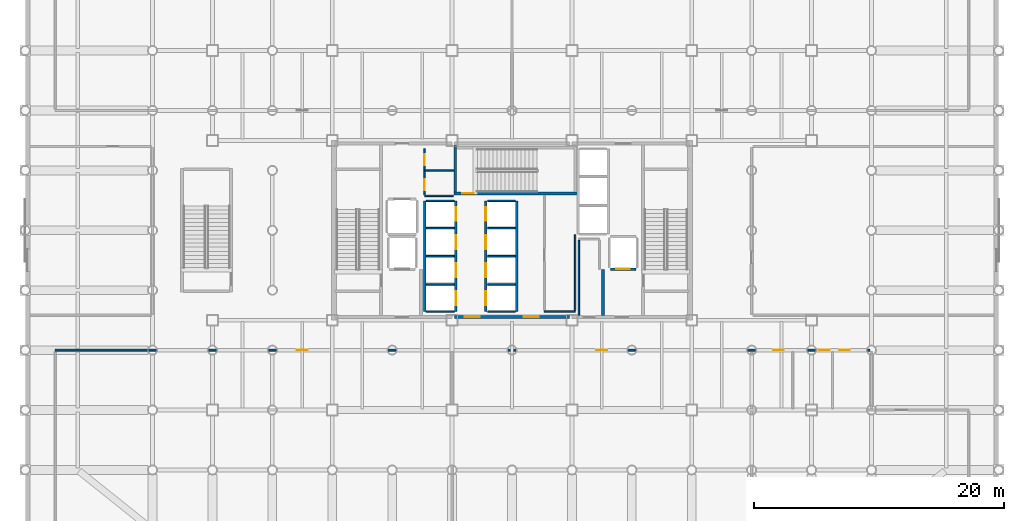
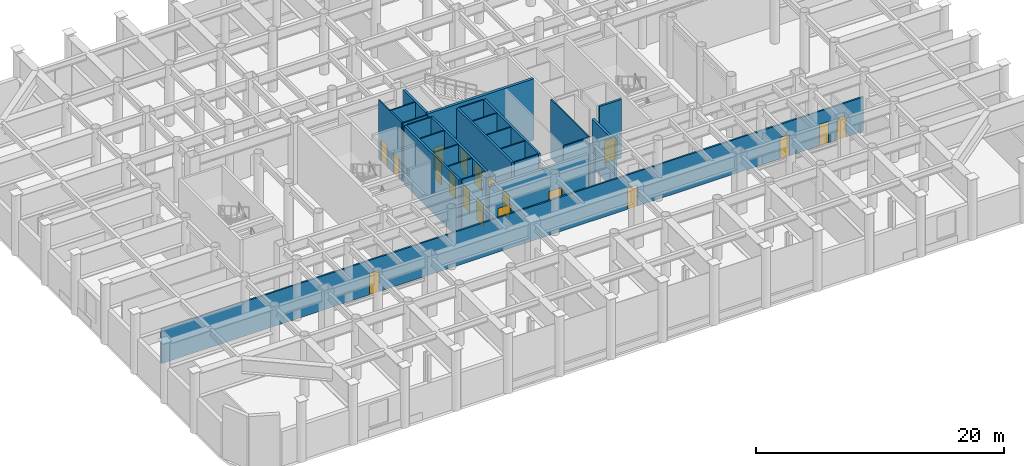
# One storey, part 17 of 26: 26 walls, 19 doors, 19 openings.
"""IFC4 building model written with IfcOpenShell, lengths in metres."""

from ifc_helpers import new_model, si_unit, direction, frame, frame_2d, origin, place, context, subcontext, project, spatial, rectangle, extrude, material, layer, layer_set, type_object, element, fill, save


model = new_model("IFC4")

# Units and contexts
model_context = context("Model", 3, precision=1e-05, world=origin(), true_north=direction((0.0, 1.0)))
body_context = subcontext(model_context, "Body", "Model", "MODEL_VIEW")
ifc_project = project(units=[si_unit("LENGTHUNIT", "METRE"), si_unit("AREAUNIT", "SQUARE_METRE"), si_unit("VOLUMEUNIT", "CUBIC_METRE"), si_unit("PLANEANGLEUNIT", "RADIAN"), si_unit("MASSUNIT", "GRAM", prefix="KILO")], contexts=[model_context])

# Site, building, storey
site_placement = place(None, origin())
site = spatial("IfcSite", under=ifc_project, at=site_placement, CompositionType="ELEMENT")
building_placement = place(site_placement, origin())
building = spatial("IfcBuilding", under=site, at=building_placement, Name="Kallvorn Hotel Tower", CompositionType="ELEMENT")
storey_placement = place(building_placement, frame((0.0, 0.0, 6.0)))
storey = spatial("IfcBuildingStorey", under=building, at=storey_placement, Name="L01", CompositionType="ELEMENT", Elevation=6.0)

# Walls
ifc_material_1 = material(Name="Concrete C40/50", Category="concrete")
ifc_layer_1 = layer(ifc_material_1, 0.219970703125)
ifc_layer_set_1 = layer_set([ifc_layer_1], Name="WL_FFL_220")
wall_type_1 = type_object("IfcWallType", Name="WL_FFL_220", PredefinedType="SOLIDWALL", material=ifc_layer_set_1)
wall_1_placement = place(storey_placement, frame((7.300048828125, -6.820068359375, 0.0), z_axis=(0.0, 0.0, 1.0), x_axis=(0.0, 1.0, 0.0)))
element("IfcWall", 1, at=wall_1_placement, inside=storey, type_object=wall_type_1, Name="L01 Firefighting Lobby East Divider Wall", PredefinedType="SOLIDWALL", context=body_context, shape_type="SweptSolid", body=[
    extrude(rectangle(XDim=3.670166015625, YDim=0.219970703125, at=frame_2d((1.8349609375, 0.0))), origin(), (0.0, 0.0, 1.0), 4.780029296875),
])
ifc_material_2 = material(Name="Concrete C40/50", Category="concrete")
ifc_layer_2 = layer(ifc_material_2, 0.199951171875)
ifc_layer_set_2 = layer_set([ifc_layer_2], Name="WL_HOIST_200")
wall_type_2 = type_object("IfcWallType", Name="WL_HOIST_200", PredefinedType="SOLIDWALL", material=ifc_layer_set_2)
wall_2_placement = place(storey_placement, frame((-4.550048828125, 3.080078125, -0.25), z_axis=(0.0, 0.0, 1.0), x_axis=(0.0, 1.0, 0.0)))
element("IfcWall", 2, at=wall_2_placement, inside=storey, type_object=wall_type_2, Name="L01 Stair ST3 West Wall", PredefinedType="SOLIDWALL", context=body_context, shape_type="SweptSolid", body=[
    extrude(rectangle(XDim=3.739990234375, YDim=0.199951171875, at=frame_2d((1.8701171875, 0.0))), origin(), (0.0, 0.0, 1.0), 6.030029296875),
])

# Wall, openings, doors
wall_3_placement = place(storey_placement, frame((-4.5, -6.5, 0.0), z_axis=(0.0, 0.0, 1.0), x_axis=(0.0, 1.0, 0.0)))
wall_3 = element("IfcWall", 3, at=wall_3_placement, inside=storey, type_object=wall_type_2, Name="L01 Lift Bank B1 Landing Wall", PredefinedType="SOLIDWALL", context=body_context, shape_type="SweptSolid", body=[
    extrude(rectangle(XDim=8.85009765625, YDim=0.199951171875, at=frame_2d((4.425048828125, 0.0))), origin(), (0.0, 0.0, 1.0), 5.780029296875),
])
opening_1_placement = place(wall_3_placement, frame((0.5, 0.0, 0.0)))
opening_1 = element("IfcOpeningElement", 4, at=opening_1_placement, cuts=wall_3, Name="Opening LD-PL-01", PredefinedType="OPENING", context=body_context, shape_type="SweptSolid", body=[
    extrude(rectangle(XDim=1.10009765625, YDim=2.199951171875, at=frame_2d((0.550048828125, 1.10009765625))), frame((0.0, 0.114990234375, 0.0), z_axis=(0.0, -1.0, 0.0), x_axis=(1.0, 0.0, 0.0)), (0.0, 0.0, 1.0), 0.22998046875),
])
opening_2_placement = place(wall_3_placement, frame((2.75, 0.0, 0.0)))
opening_2 = element("IfcOpeningElement", 5, at=opening_2_placement, cuts=wall_3, Name="Opening LD-PL-02", PredefinedType="OPENING", context=body_context, shape_type="SweptSolid", body=[
    extrude(rectangle(XDim=1.10009765625, YDim=2.199951171875, at=frame_2d((0.550048828125, 1.10009765625))), frame((0.0, 0.114990234375, 0.0), z_axis=(0.0, -1.0, 0.0), x_axis=(1.0, 0.0, 0.0)), (0.0, 0.0, 1.0), 0.22998046875),
])
opening_3_placement = place(wall_3_placement, frame((5.0, 0.0, 0.0)))
opening_3 = element("IfcOpeningElement", 6, at=opening_3_placement, cuts=wall_3, Name="Opening LD-PL-03", PredefinedType="OPENING", context=body_context, shape_type="SweptSolid", body=[
    extrude(rectangle(XDim=1.10009765625, YDim=2.199951171875, at=frame_2d((0.550048828125, 1.10009765625))), frame((0.0, 0.114990234375, 0.0), z_axis=(0.0, -1.0, 0.0), x_axis=(1.0, 0.0, 0.0)), (0.0, 0.0, 1.0), 0.22998046875),
])
opening_4_placement = place(wall_3_placement, frame((7.25, 0.0, 0.0)))
opening_4 = element("IfcOpeningElement", 7, at=opening_4_placement, cuts=wall_3, Name="Opening LD-PL-04", PredefinedType="OPENING", context=body_context, shape_type="SweptSolid", body=[
    extrude(rectangle(XDim=1.10009765625, YDim=2.199951171875, at=frame_2d((0.550048828125, 1.10009765625))), frame((0.0, 0.114990234375, 0.0), z_axis=(0.0, -1.0, 0.0), x_axis=(1.0, 0.0, 0.0)), (0.0, 0.0, 1.0), 0.22998046875),
])
ifc_material_3 = material(Name="Brushed stainless-steel automatic sliding lift landing door", Category="steel")
door_type_1 = type_object("IfcDoorType", Name="LD_PASS_1100x2200", OperationType="SLIDING_TO_LEFT", PredefinedType="DOOR", material=ifc_material_3)
door_1_placement = place(opening_1_placement, origin())
door_1 = element("IfcDoor", 8, at=door_1_placement, inside=storey, type_object=door_type_1, Name="L01 Lift Landing Sliding Door LD-PL-01", OperationType="SLIDING_TO_LEFT", OverallHeight=2.199951171875, OverallWidth=1.10009765625, PredefinedType="DOOR", context=body_context, shape_type="SweptSolid", body=[
    extrude(rectangle(XDim=1.10009765625, YDim=2.199951171875, at=frame_2d((0.550048828125, 1.10009765625))), frame((0.0, 0.02490234375, 0.0), z_axis=(0.0, -1.0, 0.0), x_axis=(1.0, 0.0, 0.0)), (0.0, 0.0, 1.0), 0.050048828125),
])
fill(opening_1, door_1)
door_2_placement = place(opening_2_placement, origin())
door_2 = element("IfcDoor", 9, at=door_2_placement, inside=storey, type_object=door_type_1, Name="L01 Lift Landing Sliding Door LD-PL-02", OperationType="SLIDING_TO_LEFT", OverallHeight=2.199951171875, OverallWidth=1.10009765625, PredefinedType="DOOR", context=body_context, shape_type="SweptSolid", body=[
    extrude(rectangle(XDim=1.10009765625, YDim=2.199951171875, at=frame_2d((0.550048828125, 1.10009765625))), frame((0.0, 0.02490234375, 0.0), z_axis=(0.0, -1.0, 0.0), x_axis=(1.0, 0.0, 0.0)), (0.0, 0.0, 1.0), 0.050048828125),
])
fill(opening_2, door_2)
door_3_placement = place(opening_3_placement, origin())
door_3 = element("IfcDoor", 10, at=door_3_placement, inside=storey, type_object=door_type_1, Name="L01 Lift Landing Sliding Door LD-PL-03", OperationType="SLIDING_TO_LEFT", OverallHeight=2.199951171875, OverallWidth=1.10009765625, PredefinedType="DOOR", context=body_context, shape_type="SweptSolid", body=[
    extrude(rectangle(XDim=1.10009765625, YDim=2.199951171875, at=frame_2d((0.550048828125, 1.10009765625))), frame((0.0, 0.02490234375, 0.0), z_axis=(0.0, -1.0, 0.0), x_axis=(1.0, 0.0, 0.0)), (0.0, 0.0, 1.0), 0.050048828125),
])
fill(opening_3, door_3)
door_4_placement = place(opening_4_placement, origin())
door_4 = element("IfcDoor", 11, at=door_4_placement, inside=storey, type_object=door_type_1, Name="L01 Lift Landing Sliding Door LD-PL-04", OperationType="SLIDING_TO_LEFT", OverallHeight=2.199951171875, OverallWidth=1.10009765625, PredefinedType="DOOR", context=body_context, shape_type="SweptSolid", body=[
    extrude(rectangle(XDim=1.10009765625, YDim=2.199951171875, at=frame_2d((0.550048828125, 1.10009765625))), frame((0.0, 0.02490234375, 0.0), z_axis=(0.0, -1.0, 0.0), x_axis=(1.0, 0.0, 0.0)), (0.0, 0.0, 1.0), 0.050048828125),
])
fill(opening_4, door_4)

# Wall
wall_4_placement = place(storey_placement, frame((-7.0, -6.5, 0.0), z_axis=(0.0, 0.0, 1.0), x_axis=(0.0, 1.0, 0.0)))
element("IfcWall", 12, at=wall_4_placement, inside=storey, type_object=wall_type_2, Name="L01 Lift Bank B1 Rear Shaft Wall", PredefinedType="SOLIDWALL", context=body_context, shape_type="SweptSolid", body=[
    extrude(rectangle(XDim=8.85009765625, YDim=0.199951171875, at=frame_2d((4.425048828125, 0.0))), origin(), (0.0, 0.0, 1.0), 5.780029296875),
])

# Wall, openings, doors
wall_5_placement = place(storey_placement, frame((-2.10009765625, -6.5, 0.0), z_axis=(0.0, 0.0, 1.0), x_axis=(0.0, 1.0, 0.0)))
wall_5 = element("IfcWall", 13, at=wall_5_placement, inside=storey, type_object=wall_type_2, Name="L01 Lift Bank B2 Landing Wall", PredefinedType="SOLIDWALL", context=body_context, shape_type="SweptSolid", body=[
    extrude(rectangle(XDim=8.85009765625, YDim=0.199951171875, at=frame_2d((4.425048828125, 0.0))), origin(), (0.0, 0.0, 1.0), 5.780029296875),
])
opening_5_placement = place(wall_5_placement, frame((0.5, 0.0, 0.0)))
opening_5 = element("IfcOpeningElement", 14, at=opening_5_placement, cuts=wall_5, Name="Opening LD-PL-05", PredefinedType="OPENING", context=body_context, shape_type="SweptSolid", body=[
    extrude(rectangle(XDim=1.10009765625, YDim=2.199951171875, at=frame_2d((0.550048828125, 1.10009765625))), frame((0.0, 0.114990234375, 0.0), z_axis=(0.0, -1.0, 0.0), x_axis=(1.0, 0.0, 0.0)), (0.0, 0.0, 1.0), 0.22998046875),
])
opening_6_placement = place(wall_5_placement, frame((2.75, 0.0, 0.0)))
opening_6 = element("IfcOpeningElement", 15, at=opening_6_placement, cuts=wall_5, Name="Opening LD-PL-06", PredefinedType="OPENING", context=body_context, shape_type="SweptSolid", body=[
    extrude(rectangle(XDim=1.10009765625, YDim=2.199951171875, at=frame_2d((0.550048828125, 1.10009765625))), frame((0.0, 0.114990234375, 0.0), z_axis=(0.0, -1.0, 0.0), x_axis=(1.0, 0.0, 0.0)), (0.0, 0.0, 1.0), 0.22998046875),
])
opening_7_placement = place(wall_5_placement, frame((5.0, 0.0, 0.0)))
opening_7 = element("IfcOpeningElement", 16, at=opening_7_placement, cuts=wall_5, Name="Opening LD-PL-07", PredefinedType="OPENING", context=body_context, shape_type="SweptSolid", body=[
    extrude(rectangle(XDim=1.10009765625, YDim=2.199951171875, at=frame_2d((0.550048828125, 1.10009765625))), frame((0.0, 0.114990234375, 0.0), z_axis=(0.0, -1.0, 0.0), x_axis=(1.0, 0.0, 0.0)), (0.0, 0.0, 1.0), 0.22998046875),
])
opening_8_placement = place(wall_5_placement, frame((7.25, 0.0, 0.0)))
opening_8 = element("IfcOpeningElement", 17, at=opening_8_placement, cuts=wall_5, Name="Opening LD-PL-08", PredefinedType="OPENING", context=body_context, shape_type="SweptSolid", body=[
    extrude(rectangle(XDim=1.10009765625, YDim=2.199951171875, at=frame_2d((0.550048828125, 1.10009765625))), frame((0.0, 0.114990234375, 0.0), z_axis=(0.0, -1.0, 0.0), x_axis=(1.0, 0.0, 0.0)), (0.0, 0.0, 1.0), 0.22998046875),
])
door_5_placement = place(opening_5_placement, origin())
door_5 = element("IfcDoor", 18, at=door_5_placement, inside=storey, type_object=door_type_1, Name="L01 Lift Landing Sliding Door LD-PL-05", OperationType="SLIDING_TO_LEFT", OverallHeight=2.199951171875, OverallWidth=1.10009765625, PredefinedType="DOOR", context=body_context, shape_type="SweptSolid", body=[
    extrude(rectangle(XDim=1.10009765625, YDim=2.199951171875, at=frame_2d((0.550048828125, 1.10009765625))), frame((0.0, 0.02490234375, 0.0), z_axis=(0.0, -1.0, 0.0), x_axis=(1.0, 0.0, 0.0)), (0.0, 0.0, 1.0), 0.050048828125),
])
fill(opening_5, door_5)
door_6_placement = place(opening_6_placement, origin())
door_6 = element("IfcDoor", 19, at=door_6_placement, inside=storey, type_object=door_type_1, Name="L01 Lift Landing Sliding Door LD-PL-06", OperationType="SLIDING_TO_LEFT", OverallHeight=2.199951171875, OverallWidth=1.10009765625, PredefinedType="DOOR", context=body_context, shape_type="SweptSolid", body=[
    extrude(rectangle(XDim=1.10009765625, YDim=2.199951171875, at=frame_2d((0.550048828125, 1.10009765625))), frame((0.0, 0.02490234375, 0.0), z_axis=(0.0, -1.0, 0.0), x_axis=(1.0, 0.0, 0.0)), (0.0, 0.0, 1.0), 0.050048828125),
])
fill(opening_6, door_6)
door_7_placement = place(opening_7_placement, origin())
door_7 = element("IfcDoor", 20, at=door_7_placement, inside=storey, type_object=door_type_1, Name="L01 Lift Landing Sliding Door LD-PL-07", OperationType="SLIDING_TO_LEFT", OverallHeight=2.199951171875, OverallWidth=1.10009765625, PredefinedType="DOOR", context=body_context, shape_type="SweptSolid", body=[
    extrude(rectangle(XDim=1.10009765625, YDim=2.199951171875, at=frame_2d((0.550048828125, 1.10009765625))), frame((0.0, 0.02490234375, 0.0), z_axis=(0.0, -1.0, 0.0), x_axis=(1.0, 0.0, 0.0)), (0.0, 0.0, 1.0), 0.050048828125),
])
fill(opening_7, door_7)
door_8_placement = place(opening_8_placement, origin())
door_8 = element("IfcDoor", 21, at=door_8_placement, inside=storey, type_object=door_type_1, Name="L01 Lift Landing Sliding Door LD-PL-08", OperationType="SLIDING_TO_LEFT", OverallHeight=2.199951171875, OverallWidth=1.10009765625, PredefinedType="DOOR", context=body_context, shape_type="SweptSolid", body=[
    extrude(rectangle(XDim=1.10009765625, YDim=2.199951171875, at=frame_2d((0.550048828125, 1.10009765625))), frame((0.0, 0.02490234375, 0.0), z_axis=(0.0, -1.0, 0.0), x_axis=(1.0, 0.0, 0.0)), (0.0, 0.0, 1.0), 0.050048828125),
])
fill(opening_8, door_8)

# Wall
wall_6_placement = place(storey_placement, frame((0.39990234375, -6.5, 0.0), z_axis=(0.0, 0.0, 1.0), x_axis=(0.0, 1.0, 0.0)))
element("IfcWall", 22, at=wall_6_placement, inside=storey, type_object=wall_type_2, Name="L01 Lift Bank B2 Rear Shaft Wall", PredefinedType="SOLIDWALL", context=body_context, shape_type="SweptSolid", body=[
    extrude(rectangle(XDim=8.85009765625, YDim=0.199951171875, at=frame_2d((4.425048828125, 0.0))), origin(), (0.0, 0.0, 1.0), 5.780029296875),
])

# Wall, opening, door
wall_7_placement = place(storey_placement, frame((7.8798828125, -3.10009765625, 0.0), z_axis=(0.0, 0.0, 1.0), x_axis=(1.0, 0.0, 0.0)))
wall_7 = element("IfcWall", 23, at=wall_7_placement, inside=storey, type_object=wall_type_2, Name="L01 FL-2 Landing Wall", PredefinedType="SOLIDWALL", context=body_context, shape_type="SweptSolid", body=[
    extrude(rectangle(XDim=2.0400390625, YDim=0.199951171875, at=frame_2d((1.02001953125, 0.0))), origin(), (0.0, 0.0, 1.0), 5.780029296875),
])
opening_9_placement = place(wall_7_placement, frame((0.469970703125, 0.0, 0.0)))
opening_9 = element("IfcOpeningElement", 24, at=opening_9_placement, cuts=wall_7, Name="Opening LD-FL-2", PredefinedType="OPENING", context=body_context, shape_type="SweptSolid", body=[
    extrude(rectangle(XDim=1.10009765625, YDim=2.199951171875, at=frame_2d((0.550048828125, 1.10009765625))), frame((0.0, 0.114990234375, 0.0), z_axis=(0.0, -1.0, 0.0), x_axis=(1.0, 0.0, 0.0)), (0.0, 0.0, 1.0), 0.22998046875),
])
door_9_placement = place(opening_9_placement, origin())
door_9 = element("IfcDoor", 25, at=door_9_placement, inside=storey, type_object=door_type_1, Name="L01 Lift Landing Sliding Door LD-FL-2", OperationType="SLIDING_TO_LEFT", OverallHeight=2.199951171875, OverallWidth=1.10009765625, PredefinedType="DOOR", context=body_context, shape_type="SweptSolid", body=[
    extrude(rectangle(XDim=1.10009765625, YDim=2.199951171875, at=frame_2d((0.550048828125, 1.10009765625))), frame((0.0, 0.02490234375, 0.0), z_axis=(0.0, -1.0, 0.0), x_axis=(1.0, 0.0, 0.0)), (0.0, 0.0, 1.0), 0.050048828125),
])
fill(opening_9, door_9)

# Walls
ifc_material_4 = material(Name="Fire-rated double-layer acoustic gypsum drywall EI 60")
ifc_layer_3 = layer(ifc_material_4, 0.1201171875)
ifc_layer_set_3 = layer_set([ifc_layer_3], Name="WL_INT_120")
wall_type_3 = type_object("IfcWallType", Name="WL_INT_120", PredefinedType="PARTITIONING", material=ifc_layer_set_3)
for number, where, z_axis, x_axis, name in (
    (26, (-6.860107421875, -6.5, 0.0), (0.0, 0.0, 1.0), (1.0, 0.0, 0.0), "L01 Lift Bank B1 South Closure Wall"),
    (27, (-6.860107421875, -4.324951171875, 0.0), (0.0, 0.0, 1.0), (1.0, 0.0, 0.0), "L01 PL-01 Hoistway Divider"),
    (28, (-6.860107421875, -2.074951171875, 0.0), (0.0, 0.0, 1.0), (1.0, 0.0, 0.0), "L01 PL-02 Hoistway Divider"),
    (29, (-6.860107421875, 0.175048828125, 0.0), (0.0, 0.0, 1.0), (1.0, 0.0, 0.0), "L01 PL-03 Hoistway Divider"),
    (30, (-6.860107421875, 2.35009765625, 0.0), (0.0, 0.0, 1.0), (1.0, 0.0, 0.0), "L01 PL-04 Hoistway Divider"),
):
    element("IfcWall", number, at=place(storey_placement, frame(where, z_axis=z_axis, x_axis=x_axis)), inside=storey, type_object=wall_type_3, Name=name, PredefinedType="PARTITIONING", context=body_context, shape_type="SweptSolid", body=[
        extrude(rectangle(XDim=2.22021484375, YDim=0.1201171875, at=frame_2d((1.110107421875, 0.0))), origin(), (0.0, 0.0, 1.0), 5.780029296875),
    ])
for number, where, z_axis, x_axis, name in (
    (31, (-1.9599609375, -6.5, 0.0), (0.0, 0.0, 1.0), (1.0, 0.0, 0.0), "L01 Lift Bank B2 South Closure Wall"),
    (32, (-1.9599609375, -4.324951171875, 0.0), (0.0, 0.0, 1.0), (1.0, 0.0, 0.0), "L01 PL-05 Hoistway Divider"),
    (33, (-1.9599609375, -2.074951171875, 0.0), (0.0, 0.0, 1.0), (1.0, 0.0, 0.0), "L01 PL-06 Hoistway Divider"),
    (34, (-1.9599609375, 0.175048828125, 0.0), (0.0, 0.0, 1.0), (1.0, 0.0, 0.0), "L01 PL-07 Hoistway Divider"),
    (35, (-1.9599609375, 2.35009765625, 0.0), (0.0, 0.0, 1.0), (1.0, 0.0, 0.0), "L01 PL-08 Hoistway Divider"),
):
    element("IfcWall", number, at=place(storey_placement, frame(where, z_axis=z_axis, x_axis=x_axis)), inside=storey, type_object=wall_type_3, Name=name, PredefinedType="PARTITIONING", context=body_context, shape_type="SweptSolid", body=[
        extrude(rectangle(XDim=2.219970703125, YDim=0.1201171875, at=frame_2d((1.10986328125, 0.0))), origin(), (0.0, 0.0, 1.0), 5.780029296875),
    ])
wall_8_placement = place(storey_placement, frame((2.60009765625, -6.5, 0.0), z_axis=(0.0, 0.0, 1.0), x_axis=(1.0, 0.0, 0.0)))
element("IfcWall", 36, at=wall_8_placement, inside=storey, type_object=wall_type_3, Name="L01 East Core Consolidated Linen and Supply Store Partition", PredefinedType="PARTITIONING", context=body_context, shape_type="SweptSolid", body=[
    extrude(rectangle(XDim=2.449951171875, YDim=0.1201171875, at=frame_2d((1.22509765625, 0.0))), origin(), (0.0, 0.0, 1.0), 5.780029296875),
])
wall_9_placement = place(storey_placement, frame((-7.0, 2.75, 0.0), z_axis=(0.0, 0.0, 1.0), x_axis=(1.0, 0.0, 0.0)))
element("IfcWall", 37, at=wall_9_placement, inside=storey, type_object=wall_type_3, Name="L01 Core Ice and Vending Pantry Partition", PredefinedType="PARTITIONING", context=body_context, shape_type="SweptSolid", body=[
    extrude(rectangle(XDim=2.31005859375, YDim=0.1201171875, at=frame_2d((1.155029296875, 0.0))), origin(), (0.0, 0.0, 1.0), 5.780029296875),
])
wall_10_placement = place(storey_placement, frame((-7.0, 4.800048828125, 0.0), z_axis=(0.0, 0.0, 1.0), x_axis=(1.0, 0.0, 0.0)))
element("IfcWall", 38, at=wall_10_placement, inside=storey, type_object=wall_type_3, Name="L01 Core Ice and Vending Pantry Partition", PredefinedType="PARTITIONING", context=body_context, shape_type="SweptSolid", body=[
    extrude(rectangle(XDim=2.35009765625, YDim=0.1201171875, at=frame_2d((1.175048828125, 0.0))), origin(), (0.0, 0.0, 1.0), 5.780029296875),
])

# Wall, openings, doors
wall_11_placement = place(storey_placement, frame((-7.0, 2.8349609375, 0.0), z_axis=(0.0, 0.0, 1.0), x_axis=(0.0, 1.0, 0.0)))
wall_11 = element("IfcWall", 39, at=wall_11_placement, inside=storey, type_object=wall_type_3, Name="L01 Core Ice and Vending Pantry Partition", PredefinedType="PARTITIONING", context=body_context, shape_type="SweptSolid", body=[
    extrude(rectangle(XDim=3.715087890625, YDim=0.1201171875, at=frame_2d((1.857421875, 0.0))), origin(), (0.0, 0.0, 1.0), 5.780029296875),
])
opening_10_placement = place(wall_11_placement, frame((0.364990234375, 0.0, 0.0)))
opening_10 = element("IfcOpeningElement", 40, at=opening_10_placement, cuts=wall_11, Name="Opening SVD1", PredefinedType="OPENING", context=body_context, shape_type="SweptSolid", body=[
    extrude(rectangle(XDim=0.89990234375, YDim=2.10009765625, at=frame_2d((0.449951171875, 1.050048828125))), frame((0.0, 0.074951171875, 0.0), z_axis=(0.0, -1.0, 0.0), x_axis=(1.0, 0.0, 0.0)), (0.0, 0.0, 1.0), 0.150146484375),
])
opening_11_placement = place(wall_11_placement, frame((2.364990234375, 0.0, 0.0)))
opening_11 = element("IfcOpeningElement", 41, at=opening_11_placement, cuts=wall_11, Name="Opening SVD1", PredefinedType="OPENING", context=body_context, shape_type="SweptSolid", body=[
    extrude(rectangle(XDim=0.89990234375, YDim=2.10009765625, at=frame_2d((0.449951171875, 1.050048828125))), frame((0.0, 0.074951171875, 0.0), z_axis=(0.0, -1.0, 0.0), x_axis=(1.0, 0.0, 0.0)), (0.0, 0.0, 1.0), 0.150146484375),
])
ifc_material_5 = material(Name="Galvanised painted steel fire-rated door assembly", Category="steel")
door_type_2 = type_object("IfcDoorType", Name="DR_SERV_900x2100", OperationType="NOTDEFINED", PredefinedType="DOOR", material=ifc_material_5)
door_10_placement = place(opening_10_placement, origin())
door_10 = element("IfcDoor", 42, at=door_10_placement, inside=storey, type_object=door_type_2, Name="L01 Core Ice and Vending Pantry Door", OperationType="SINGLE_SWING_RIGHT", OverallHeight=2.10009765625, OverallWidth=0.89990234375, PredefinedType="DOOR", context=body_context, shape_type="SweptSolid", body=[
    extrude(rectangle(XDim=0.89990234375, YDim=2.10009765625, at=frame_2d((0.449951171875, 1.050048828125))), frame((0.0, 0.02490234375, 0.0), z_axis=(0.0, -1.0, 0.0), x_axis=(1.0, 0.0, 0.0)), (0.0, 0.0, 1.0), 0.050048828125),
])
fill(opening_10, door_10)
door_11_placement = place(opening_11_placement, origin())
door_11 = element("IfcDoor", 43, at=door_11_placement, inside=storey, type_object=door_type_2, Name="L01 Core Linen Supply Closet Door", OperationType="SINGLE_SWING_RIGHT", OverallHeight=2.10009765625, OverallWidth=0.89990234375, PredefinedType="DOOR", context=body_context, shape_type="SweptSolid", body=[
    extrude(rectangle(XDim=0.89990234375, YDim=2.10009765625, at=frame_2d((0.449951171875, 1.050048828125))), frame((0.0, 0.02490234375, 0.0), z_axis=(0.0, -1.0, 0.0), x_axis=(1.0, 0.0, 0.0)), (0.0, 0.0, 1.0), 0.050048828125),
])
fill(opening_11, door_11)

# Walls
wall_12_placement = place(storey_placement, frame((5.050048828125, -6.4150390625, 0.0), z_axis=(0.0, 0.0, 1.0), x_axis=(0.0, 1.0, 0.0)))
element("IfcWall", 44, at=wall_12_placement, inside=storey, type_object=wall_type_3, Name="L01 East Core Consolidated Linen and Supply Store Partition", PredefinedType="PARTITIONING", context=body_context, shape_type="SweptSolid", body=[
    extrude(rectangle(XDim=6.074951171875, YDim=0.1201171875, at=frame_2d((3.03759765625, 0.0))), origin(), (0.0, 0.0, 1.0), 5.780029296875),
])
wall_13_placement = place(storey_placement, frame((5.35009765625, -6.800048828125, 0.0), z_axis=(0.0, 0.0, 1.0), x_axis=(0.0, 1.0, 0.0)))
element("IfcWall", 45, at=wall_13_placement, inside=storey, type_object=wall_type_3, Name="L01 Core Utility and Meter Room Partition", PredefinedType="PARTITIONING", context=body_context, shape_type="SweptSolid", body=[
    extrude(rectangle(XDim=6.01513671875, YDim=0.1201171875, at=frame_2d((3.007568359375, 0.0))), origin(), (0.0, 0.0, 1.0), 4.780029296875),
])

# Wall, openings, doors
ifc_material_6 = material(Name="Fire-rated double-layer acoustic gypsum drywall EI 60")
ifc_layer_4 = layer(ifc_material_6, 0.14990234375)
ifc_layer_set_4 = layer_set([ifc_layer_4], Name="WL_PART_150")
wall_type_4 = type_object("IfcWallType", Name="WL_PART_150", PredefinedType="PARTITIONING", material=ifc_layer_set_4)
wall_14_placement = place(storey_placement, frame((-36.60009765625, -9.60009765625, 0.0), z_axis=(0.0, 0.0, 1.0), x_axis=(1.0, 0.0, 0.0)))
wall_14 = element("IfcWall", 46, at=wall_14_placement, inside=storey, type_object=wall_type_4, Name="L01 Specialty Signature Restaurant Dining Hall Partition", PredefinedType="PARTITIONING", context=body_context, shape_type="SweptSolid", body=[
    extrude(rectangle(XDim=65.280029296875, YDim=0.14990234375, at=frame_2d((32.64013671875, 0.0))), origin(), (0.0, 0.0, 1.0), 3.3798828125),
])
opening_12_placement = place(wall_14_placement, frame((19.35009765625, 0.0, 0.0)))
opening_12 = element("IfcOpeningElement", 47, at=opening_12_placement, cuts=wall_14, Name="Opening SVD1", PredefinedType="OPENING", context=body_context, shape_type="SweptSolid", body=[
    extrude(rectangle(XDim=0.89990234375, YDim=2.10009765625, at=frame_2d((0.449951171875, 1.050048828125))), frame((0.0, 0.08984375, 0.0), z_axis=(0.0, -1.0, 0.0), x_axis=(1.0, 0.0, 0.0)), (0.0, 0.0, 1.0), 0.179931640625),
])
opening_13_placement = place(wall_14_placement, frame((43.35009765625, 0.0, 0.0)))
opening_13 = element("IfcOpeningElement", 48, at=opening_13_placement, cuts=wall_14, Name="Opening SVD1", PredefinedType="OPENING", context=body_context, shape_type="SweptSolid", body=[
    extrude(rectangle(XDim=0.89990234375, YDim=2.10009765625, at=frame_2d((0.449951171875, 1.050048828125))), frame((0.0, 0.08984375, 0.0), z_axis=(0.0, -1.0, 0.0), x_axis=(1.0, 0.0, 0.0)), (0.0, 0.0, 1.0), 0.179931640625),
])
opening_14_placement = place(wall_14_placement, frame((57.521484375, 0.0, 0.0)))
opening_14 = element("IfcOpeningElement", 49, at=opening_14_placement, cuts=wall_14, Name="Opening BD-I", PredefinedType="OPENING", context=body_context, shape_type="SweptSolid", body=[
    extrude(rectangle(XDim=0.860107421875, YDim=2.10009765625, at=frame_2d((0.43017578125, 1.050048828125))), frame((0.0, 0.08984375, 0.0), z_axis=(0.0, -1.0, 0.0), x_axis=(1.0, 0.0, 0.0)), (0.0, 0.0, 1.0), 0.179931640625),
])
opening_15_placement = place(wall_14_placement, frame((61.18505859375, 0.0, 0.0)))
opening_15 = element("IfcOpeningElement", 50, at=opening_15_placement, cuts=wall_14, Name="Opening BD-I", PredefinedType="OPENING", context=body_context, shape_type="SweptSolid", body=[
    extrude(rectangle(XDim=0.860107421875, YDim=2.10009765625, at=frame_2d((0.43017578125, 1.050048828125))), frame((0.0, 0.08984375, 0.0), z_axis=(0.0, -1.0, 0.0), x_axis=(1.0, 0.0, 0.0)), (0.0, 0.0, 1.0), 0.179931640625),
])
opening_16_placement = place(wall_14_placement, frame((62.820556640625, 0.0, 0.0)))
opening_16 = element("IfcOpeningElement", 51, at=opening_16_placement, cuts=wall_14, Name="Opening BD-I", PredefinedType="OPENING", context=body_context, shape_type="SweptSolid", body=[
    extrude(rectangle(XDim=0.860107421875, YDim=2.10009765625, at=frame_2d((0.43017578125, 1.050048828125))), frame((0.0, 0.08984375, 0.0), z_axis=(0.0, -1.0, 0.0), x_axis=(1.0, 0.0, 0.0)), (0.0, 0.0, 1.0), 0.179931640625),
])
ifc_material_7 = material(Name="Solid-core walnut veneer fire-rated timber door leaf", Category="wood")
door_type_3 = type_object("IfcDoorType", Name="DR_BATH_860x2100", OperationType="NOTDEFINED", PredefinedType="DOOR", material=ifc_material_7)
door_12_placement = place(opening_14_placement, origin())
door_12 = element("IfcDoor", 52, at=door_12_placement, inside=storey, type_object=door_type_3, Name="L01 Public Male Restroom WC Door", OperationType="SINGLE_SWING_RIGHT", OverallHeight=2.10009765625, OverallWidth=0.860107421875, PredefinedType="DOOR", context=body_context, shape_type="SweptSolid", body=[
    extrude(rectangle(XDim=0.860107421875, YDim=2.10009765625, at=frame_2d((0.43017578125, 1.050048828125))), frame((0.0, 0.02490234375, 0.0), z_axis=(0.0, -1.0, 0.0), x_axis=(1.0, 0.0, 0.0)), (0.0, 0.0, 1.0), 0.050048828125),
])
fill(opening_14, door_12)
door_13_placement = place(opening_15_placement, origin())
door_13 = element("IfcDoor", 53, at=door_13_placement, inside=storey, type_object=door_type_3, Name="L01 Public Female Restroom WC Door", OperationType="SINGLE_SWING_LEFT", OverallHeight=2.10009765625, OverallWidth=0.860107421875, PredefinedType="DOOR", context=body_context, shape_type="SweptSolid", body=[
    extrude(rectangle(XDim=0.860107421875, YDim=2.10009765625, at=frame_2d((0.43017578125, 1.050048828125))), frame((0.0, 0.02490234375, 0.0), z_axis=(0.0, -1.0, 0.0), x_axis=(1.0, 0.0, 0.0)), (0.0, 0.0, 1.0), 0.050048828125),
])
fill(opening_15, door_13)
door_14_placement = place(opening_16_placement, origin())
door_14 = element("IfcDoor", 54, at=door_14_placement, inside=storey, type_object=door_type_3, Name="L01 Accessible Restroom WC Door", OperationType="SINGLE_SWING_LEFT", OverallHeight=2.10009765625, OverallWidth=0.860107421875, PredefinedType="DOOR", context=body_context, shape_type="SweptSolid", body=[
    extrude(rectangle(XDim=0.860107421875, YDim=2.10009765625, at=frame_2d((0.43017578125, 1.050048828125))), frame((0.0, 0.02490234375, 0.0), z_axis=(0.0, -1.0, 0.0), x_axis=(1.0, 0.0, 0.0)), (0.0, 0.0, 1.0), 0.050048828125),
])
fill(opening_16, door_14)
door_15_placement = place(opening_12_placement, origin())
door_15 = element("IfcDoor", 55, at=door_15_placement, inside=storey, type_object=door_type_2, Name="L01 Specialty Signature Restaurant Dining Hall Door", OperationType="SINGLE_SWING_RIGHT", OverallHeight=2.10009765625, OverallWidth=0.89990234375, PredefinedType="DOOR", context=body_context, shape_type="SweptSolid", body=[
    extrude(rectangle(XDim=0.89990234375, YDim=2.10009765625, at=frame_2d((0.449951171875, 1.050048828125))), frame((0.0, 0.02490234375, 0.0), z_axis=(0.0, -1.0, 0.0), x_axis=(1.0, 0.0, 0.0)), (0.0, 0.0, 1.0), 0.050048828125),
])
fill(opening_12, door_15)
door_16_placement = place(opening_13_placement, origin())
door_16 = element("IfcDoor", 56, at=door_16_placement, inside=storey, type_object=door_type_2, Name="L01 Restaurant Show Kitchen and Culinary Servery Door", OperationType="SINGLE_SWING_RIGHT", OverallHeight=2.10009765625, OverallWidth=0.89990234375, PredefinedType="DOOR", context=body_context, shape_type="SweptSolid", body=[
    extrude(rectangle(XDim=0.89990234375, YDim=2.10009765625, at=frame_2d((0.449951171875, 1.050048828125))), frame((0.0, 0.02490234375, 0.0), z_axis=(0.0, -1.0, 0.0), x_axis=(1.0, 0.0, 0.0)), (0.0, 0.0, 1.0), 0.050048828125),
])
fill(opening_13, door_16)

ifc_material_8 = material(Name="Concrete C40/50", Category="concrete")
ifc_layer_5 = layer(ifc_material_8, 0.25)
ifc_layer_set_5 = layer_set([ifc_layer_5], Name="WL_SHAFT_250")
wall_type_5 = type_object("IfcWallType", Name="WL_SHAFT_250", PredefinedType="SOLIDWALL", material=ifc_layer_set_5)
wall_15_placement = place(storey_placement, frame((-4.60009765625, -6.949951171875, 0.0), z_axis=(0.0, 0.0, 1.0), x_axis=(1.0, 0.0, 0.0)))
wall_15 = element("IfcWall", 57, at=wall_15_placement, inside=storey, type_object=wall_type_5, Name="L01 Core South-Central Wall", PredefinedType="SOLIDWALL", context=body_context, shape_type="SweptSolid", body=[
    extrude(rectangle(XDim=9.2001953125, YDim=0.25, at=frame_2d((4.60009765625, 0.0))), origin(), (0.0, 0.0, 1.0), 4.580078125),
])
opening_17_placement = place(wall_15_placement, frame((0.800048828125, 0.0, 0.0)))
opening_17 = element("IfcOpeningElement", 58, at=opening_17_placement, cuts=wall_15, Name="Opening FD2", PredefinedType="OPENING", context=body_context, shape_type="SweptSolid", body=[
    extrude(rectangle(XDim=1.199951171875, YDim=2.199951171875, at=frame_2d((0.60009765625, 1.10009765625))), frame((0.0, 0.139892578125, 0.0), z_axis=(0.0, -1.0, 0.0), x_axis=(1.0, 0.0, 0.0)), (0.0, 0.0, 1.0), 0.280029296875),
])
opening_18_placement = place(wall_15_placement, frame((5.550048828125, 0.0, 0.0)))
opening_18 = element("IfcOpeningElement", 59, at=opening_18_placement, cuts=wall_15, Name="Opening FD2", PredefinedType="OPENING", context=body_context, shape_type="SweptSolid", body=[
    extrude(rectangle(XDim=1.199951171875, YDim=2.199951171875, at=frame_2d((0.60009765625, 1.10009765625))), frame((0.0, 0.139892578125, 0.0), z_axis=(0.0, -1.0, 0.0), x_axis=(1.0, 0.0, 0.0)), (0.0, 0.0, 1.0), 0.280029296875),
])
ifc_material_9 = material(Name="Galvanised painted steel fire-rated door assembly", Category="steel")
door_type_4 = type_object("IfcDoorType", Name="DR_LOBBY_1200x2200", OperationType="DOUBLE_DOOR_SINGLE_SWING", PredefinedType="DOOR", material=ifc_material_9)
door_17_placement = place(opening_17_placement, origin())
door_17 = element("IfcDoor", 60, at=door_17_placement, inside=storey, type_object=door_type_4, Name="L01 West Passenger Lift Lobby Door", OperationType="DOUBLE_DOOR_SINGLE_SWING", OverallHeight=2.199951171875, OverallWidth=1.199951171875, PredefinedType="DOOR", context=body_context, shape_type="SweptSolid", body=[
    extrude(rectangle(XDim=1.199951171875, YDim=2.199951171875, at=frame_2d((0.60009765625, 1.10009765625))), frame((0.0, 0.02490234375, 0.0), z_axis=(0.0, -1.0, 0.0), x_axis=(1.0, 0.0, 0.0)), (0.0, 0.0, 1.0), 0.050048828125),
])
fill(opening_17, door_17)
door_18_placement = place(opening_18_placement, origin())
door_18 = element("IfcDoor", 61, at=door_18_placement, inside=storey, type_object=door_type_4, Name="L01 East Passenger Lift Lobby Door", OperationType="DOUBLE_DOOR_SINGLE_SWING", OverallHeight=2.199951171875, OverallWidth=1.199951171875, PredefinedType="DOOR", context=body_context, shape_type="SweptSolid", body=[
    extrude(rectangle(XDim=1.199951171875, YDim=2.199951171875, at=frame_2d((0.60009765625, 1.10009765625))), frame((0.0, 0.02490234375, 0.0), z_axis=(0.0, -1.0, 0.0), x_axis=(1.0, 0.0, 0.0)), (0.0, 0.0, 1.0), 0.050048828125),
])
fill(opening_18, door_18)

# Wall, opening, door
wall_16_placement = place(storey_placement, frame((-4.64990234375, 2.949951171875, -0.25), z_axis=(0.0, 0.0, 1.0), x_axis=(1.0, 0.0, 0.0)))
wall_16 = element("IfcWall", 62, at=wall_16_placement, inside=storey, type_object=wall_type_5, Name="L01 Stair ST3 Shaft South Wall", PredefinedType="SOLIDWALL", context=body_context, shape_type="SweptSolid", body=[
    extrude(rectangle(XDim=9.89990234375, YDim=0.25, at=frame_2d((4.949951171875, 0.0))), origin(), (0.0, 0.0, 1.0), 6.030029296875),
])
opening_19_placement = place(wall_16_placement, frame((0.64990234375, 0.0, 0.25)))
opening_19 = element("IfcOpeningElement", 63, at=opening_19_placement, cuts=wall_16, Name="Opening SD1", PredefinedType="OPENING", context=body_context, shape_type="SweptSolid", body=[
    extrude(rectangle(XDim=0.949951171875, YDim=2.14990234375, at=frame_2d((0.47509765625, 1.074951171875))), frame((0.0, 0.139892578125, 0.0), z_axis=(0.0, -1.0, 0.0), x_axis=(1.0, 0.0, 0.0)), (0.0, 0.0, 1.0), 0.280029296875),
])
ifc_material_10 = material(Name="Galvanised painted steel fire-rated door assembly", Category="steel")
door_type_5 = type_object("IfcDoorType", Name="DR_STAIR_950x2150", OperationType="NOTDEFINED", PredefinedType="DOOR", material=ifc_material_10)
door_19_placement = place(opening_19_placement, origin())
door_19 = element("IfcDoor", 64, at=door_19_placement, inside=storey, type_object=door_type_5, Name="L01 Exit Stair ST3 Fire Door", OperationType="SINGLE_SWING_RIGHT", OverallHeight=2.14990234375, OverallWidth=0.949951171875, PredefinedType="DOOR", context=body_context, shape_type="SweptSolid", body=[
    extrude(rectangle(XDim=0.949951171875, YDim=2.14990234375, at=frame_2d((0.47509765625, 1.074951171875))), frame((0.0, 0.02490234375, 0.0), z_axis=(0.0, -1.0, 0.0), x_axis=(1.0, 0.0, 0.0)), (0.0, 0.0, 1.0), 0.050048828125),
])
fill(opening_19, door_19)

save(model, "model.ifc")
